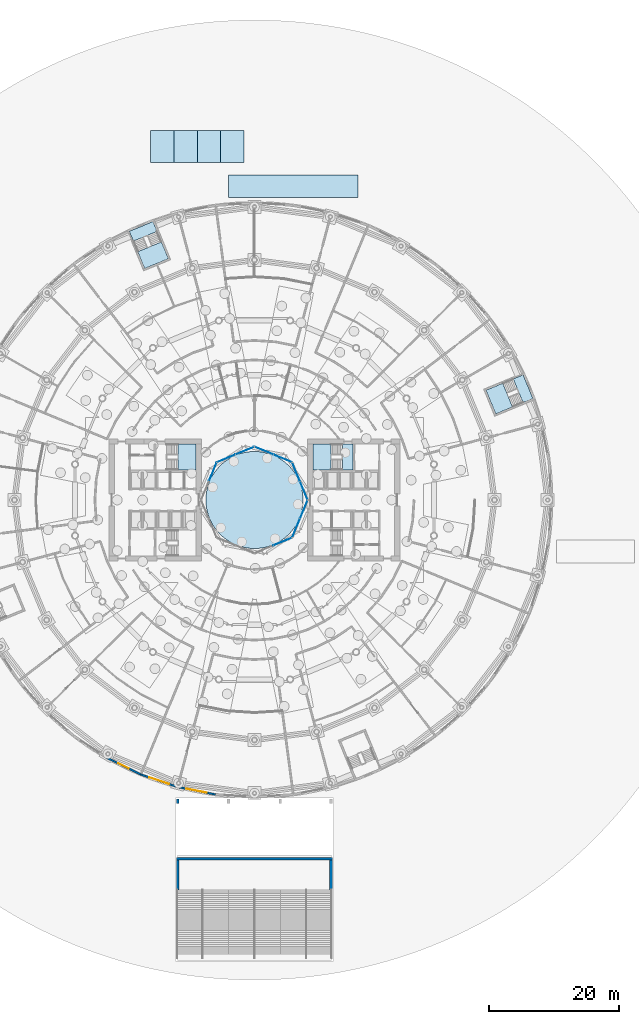
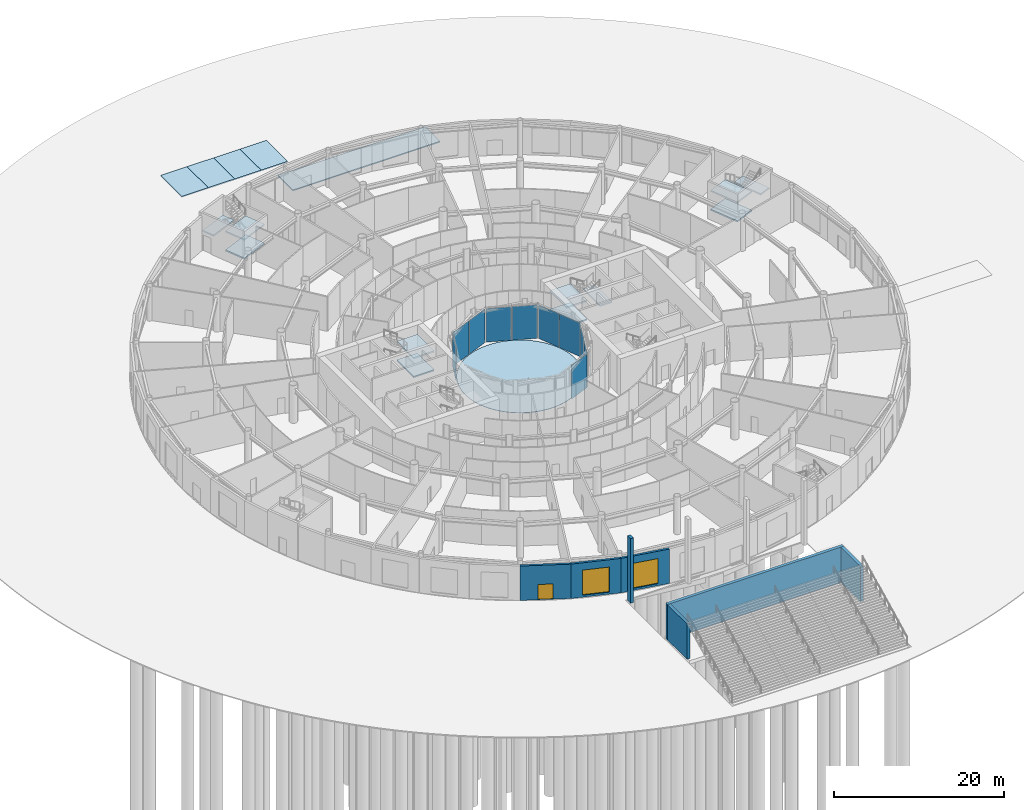
# One storey, part 17 of 41: 17 slabs, 10 plates, 7 walls, 2 windows, 1 door, 3 openings, 10 elements without a shape of their own.
"""IFC4 building model written with IfcOpenShell, lengths in metres."""

import ifcopenshell
import ifcopenshell.guid

model = None  # the IFC model being written
_history = None  # IfcOwnerHistory: only IFC2X3 demands one
_inside = {}  # id of a spatial element -> (the spatial element, [elements in it])
_under = {}  # id of a project, library or spatial element -> (it, [spatial elements below it])
_declared = {}  # id of a project -> (the project, [libraries it declares])
_typed = {}  # id of a type object -> (the type object, [elements of that type])
_made_of = {}  # id of a material, layer set ... -> (it, [elements and type objects made of it])


def new_model(schema):
    """Start an empty IFC model of exactly this schema.

    Asked for "IFC4X3", IfcOpenShell would pick the latest addendum, in which some entities
    have other attributes; the version numbers below select the first issue.
    IFC2X3 requires an IfcOwnerHistory on every rooted entity: one is made here for all.
    """
    global model, _history
    if schema == "IFC4X3":
        model = ifcopenshell.file(schema_version=(4, 3, 0, 0))
    else:
        model = ifcopenshell.file(schema=schema)
    _inside.clear()
    _under.clear()
    _declared.clear()
    _typed.clear()
    _made_of.clear()
    _history = None
    if model.schema == "IFC2X3":
        org = make("IfcOrganization", Name="unknown")
        user = make(
            "IfcPersonAndOrganization",
            ThePerson=make("IfcPerson", FamilyName="unknown"),
            TheOrganization=org,
        )
        app = make(
            "IfcApplication",
            ApplicationDeveloper=org,
            Version="unknown",
            ApplicationFullName="unknown",
            ApplicationIdentifier="unknown",
        )
        _history = make(
            "IfcOwnerHistory",
            OwningUser=user,
            OwningApplication=app,
            ChangeAction="ADDED",
            CreationDate=0,
        )
    return model


def make(cls, **values):
    """One entity of the class cls with the attributes given. An attribute that is None is left unset."""
    return model.create_entity(
        cls, **{name: value for name, value in values.items() if value is not None}
    )


def rooted(cls, **values):
    """An entity with a GlobalId (a new one), such as an element, a storey or a relation."""
    return make(cls, GlobalId=ifcopenshell.guid.new(), OwnerHistory=_history, **values)


def si_unit(unit_type, name, prefix=None):
    """IfcSIUnit, for example si_unit("LENGTHUNIT", "METRE", prefix="MILLI")."""
    return make("IfcSIUnit", UnitType=unit_type, Prefix=prefix, Name=name)


def assignment(units):
    """IfcUnitAssignment: the units of a project."""
    return None if units is None else make("IfcUnitAssignment", Units=units)


def point(xyz):
    """IfcCartesianPoint."""
    return None if xyz is None else make("IfcCartesianPoint", Coordinates=xyz)


def direction(xyz):
    """IfcDirection."""
    return None if xyz is None else make("IfcDirection", DirectionRatios=xyz)


def frame(location, z_axis=None, x_axis=None):
    """IfcAxis2Placement3D, a coordinate frame: its origin and axes. An axis left out is left unset."""
    return make(
        "IfcAxis2Placement3D",
        Location=point(location),
        Axis=direction(z_axis),
        RefDirection=direction(x_axis),
    )


def frame_2d(location, x_axis=None):
    """IfcAxis2Placement2D, a coordinate frame in the plane: its origin and x axis."""
    return make(
        "IfcAxis2Placement2D", Location=point(location), RefDirection=direction(x_axis)
    )


def origin():
    """The frame at (0, 0, 0) with its axes left unset."""
    return frame((0.0, 0.0, 0.0))


def origin_2d():
    """The frame at (0, 0) in the plane with its x axis left unset."""
    return frame_2d((0.0, 0.0))


def place(relative_to, where):
    """IfcLocalPlacement: puts the frame where relative to a parent placement (None: the world)."""
    return make(
        "IfcLocalPlacement", PlacementRelTo=relative_to, RelativePlacement=where
    )


def context(
    kind, dimensions, precision=None, world=None, true_north=None, identifier=None
):
    """IfcGeometricRepresentationContext, for example the 3D "Model" context."""
    return make(
        "IfcGeometricRepresentationContext",
        ContextIdentifier=identifier,
        ContextType=kind,
        CoordinateSpaceDimension=dimensions,
        Precision=precision,
        WorldCoordinateSystem=world,
        TrueNorth=true_north,
    )


def subcontext(parent, identifier, kind, view, scale=None):
    """IfcGeometricRepresentationSubContext, for example "Body" below "Model"."""
    return make(
        "IfcGeometricRepresentationSubContext",
        ContextIdentifier=identifier,
        ContextType=kind,
        ParentContext=parent,
        TargetScale=scale,
        TargetView=view,
    )


def project(units=None, contexts=None):
    """IfcProject with its units and contexts."""
    return rooted(
        "IfcProject",
        Name="project",
        RepresentationContexts=contexts,
        UnitsInContext=assignment(units),
    )


def spatial(cls, under=None, at=None, **own):
    """A site, building, storey or space (cls), placed at a placement, below another one or the project."""
    s = rooted(cls, ObjectPlacement=at, **own)
    if under is not None:
        _under.setdefault(under.id(), (under, []))[1].append(s)
    return s


def polyline(points):
    """IfcPolyline through the points."""
    return make("IfcPolyline", Points=[point(p) for p in points])


def profile(cls, at=None, kind="AREA", **sizes):
    """A parametric profile (cls). Its sizes go by their IFC names, for example OverallWidth=200.0."""
    return make(cls, ProfileType=kind, Position=at, **sizes)


def rectangle(**sizes):
    """IfcRectangleProfileDef."""
    return profile("IfcRectangleProfileDef", **sizes)


def outline(outer, holes=None, kind="AREA"):
    """IfcArbitraryClosedProfileDef: a profile drawn as a closed curve; with holes, ...WithVoids."""
    if holes is None:
        return make("IfcArbitraryClosedProfileDef", ProfileType=kind, OuterCurve=outer)
    return make(
        "IfcArbitraryProfileDefWithVoids",
        ProfileType=kind,
        OuterCurve=outer,
        InnerCurves=holes,
    )


def extrude(swept, where, along, depth):
    """IfcExtrudedAreaSolid: the profile swept, set in the frame where, extruded along a direction by depth."""
    return make(
        "IfcExtrudedAreaSolid",
        SweptArea=swept,
        Position=where,
        ExtrudedDirection=direction(along),
        Depth=depth,
    )


def shape(context_of_items, identifier, shape_type, items):
    """IfcShapeRepresentation: the items that make up one representation, for example the "Body"."""
    return make(
        "IfcShapeRepresentation",
        ContextOfItems=context_of_items,
        RepresentationIdentifier=identifier,
        RepresentationType=shape_type,
        Items=items,
    )


def material(Name=None, Category=None):
    """IfcMaterial."""
    return make("IfcMaterial", Name=Name, Category=Category)


def layer(
    of_material, thickness, ventilated=None, Name=None, Category=None, Priority=None
):
    """IfcMaterialLayer: one layer of a wall or slab, of a material (None: an air gap)."""
    return make(
        "IfcMaterialLayer",
        Material=of_material,
        LayerThickness=thickness,
        IsVentilated=ventilated,
        Name=Name,
        Category=Category,
        Priority=Priority,
    )


def layer_set(layers, Name=None):
    """IfcMaterialLayerSet."""
    return make("IfcMaterialLayerSet", MaterialLayers=layers, LayerSetName=Name)


def made_of(thing, what):
    """Note that an element or type object is made of a material, layer set ...; save() writes the relation."""
    if what is not None:
        _made_of.setdefault(what.id(), (what, []))[1].append(thing)
    return thing


def type_object(cls, material=None, **own):
    """A type object (cls), such as IfcWallType, which elements share."""
    return made_of(rooted(cls, **own), material)


def element(
    cls,
    number,
    at=None,
    inside=None,
    cuts=None,
    type_object=None,
    material=None,
    context=None,
    identifier="Body",
    shape_type=None,
    held_by="IfcProductDefinitionShape",
    body=None,
    shapes=None,
    **own,
):
    """One element of the class cls, such as IfcWall. Its Tag is "e" and its number.

    at: its placement. inside: the storey or other place that contains it. cuts: it is an
    opening in that element (IfcRelVoidsElement). A single representation is given by context,
    identifier, shape_type and body (its items); several are given by shapes. held_by: the class
    of the entity that holds the representations. save() writes the other relations.
    """
    e = rooted(cls, Tag="e%d" % number, ObjectPlacement=at, **own)
    if body is not None:
        shapes = [shape(context, identifier, shape_type, body)]
    if shapes is not None:
        e.Representation = make(held_by, Representations=shapes)
    if inside is not None:
        _inside.setdefault(inside.id(), (inside, []))[1].append(e)
    if cuts is not None:
        rooted(
            "IfcRelVoidsElement", RelatingBuildingElement=cuts, RelatedOpeningElement=e
        )
    if type_object is not None:
        _typed.setdefault(type_object.id(), (type_object, []))[1].append(e)
    return made_of(e, material)


def fill(opening, filler):
    """IfcRelFillsElement: the door or window that sits in an opening."""
    return rooted(
        "IfcRelFillsElement",
        RelatingOpeningElement=opening,
        RelatedBuildingElement=filler,
    )


def aggregate(whole, parts):
    """IfcRelAggregates: a whole, such as a stair, and the parts it consists of."""
    return rooted("IfcRelAggregates", RelatingObject=whole, RelatedObjects=parts)


def save(model, path):
    """Write the relations noted so far, then the file.

    IfcRelAggregates (storeys below a building ...), IfcRelContainedInSpatialStructure (elements
    in a storey), IfcRelDefinesByType, IfcRelAssociatesMaterial and IfcRelDeclares: one each for
    every whole, place, type object, material and project.
    """
    for whole, parts in _under.values():
        aggregate(whole, parts)
    for where, things in _inside.values():
        rooted(
            "IfcRelContainedInSpatialStructure",
            RelatedElements=things,
            RelatingStructure=where,
        )
    for kind, things in _typed.values():
        rooted("IfcRelDefinesByType", RelatedObjects=things, RelatingType=kind)
    for what, things in _made_of.values():
        rooted("IfcRelAssociatesMaterial", RelatedObjects=things, RelatingMaterial=what)
    for by, libraries in _declared.values():
        rooted("IfcRelDeclares", RelatingContext=by, RelatedDefinitions=libraries)
    model.write(path)


model = new_model("IFC4")

# Units and contexts
model_context = context("Model", 3, precision=1e-05, world=origin(), true_north=direction((0.0, 1.0)))
body_context = subcontext(model_context, "Body", "Model", "MODEL_VIEW")
ifc_project = project(units=[si_unit("LENGTHUNIT", "METRE"), si_unit("AREAUNIT", "SQUARE_METRE"), si_unit("VOLUMEUNIT", "CUBIC_METRE"), si_unit("PLANEANGLEUNIT", "RADIAN"), si_unit("MASSUNIT", "GRAM", prefix="KILO")], contexts=[model_context])

# Site, building, storey
site_placement = place(None, origin())
site = spatial("IfcSite", under=ifc_project, at=site_placement, CompositionType="ELEMENT")
building_placement = place(site_placement, origin())
building = spatial("IfcBuilding", under=site, at=building_placement, Name="Maasbend Ring Residences", CompositionType="ELEMENT")
storey_placement = place(building_placement, origin())
storey = spatial("IfcBuildingStorey", under=building, at=storey_placement, Name="L00", CompositionType="ELEMENT", Elevation=0.0)

# Stair, slabs
ifc_material_1 = material(Name="Concrete C40/50", Category="concrete")
stair_type = type_object("IfcStairType", Name="CORE STAIR 32 RISERS", PredefinedType="HALF_TURN_STAIR", material=ifc_material_1)
stair_1_placement = place(storey_placement, origin())
stair_1 = element("IfcStair", 1, at=stair_1_placement, inside=storey, type_object=stair_type, Name="L00 Exit stair ST-E1", PredefinedType="HALF_TURN_STAIR")
ifc_material_2 = material(Name="Concrete C40/50", Category="concrete")
ifc_layer_1 = layer(ifc_material_2, 0.199951171875)
ifc_layer_set_1 = layer_set([ifc_layer_1], Name="Concrete C40/50")
slab_type_1 = type_object("IfcSlabType", Name="CORE STAIR LANDING 200", PredefinedType="LANDING", material=ifc_layer_set_1)
slab_1_placement = place(storey_placement, frame((0.0, 0.0, 1.14990234375)))
slab_1 = element("IfcSlab", 2, at=slab_1_placement, type_object=slab_type_1, Name="ST-E1 landing 1", PredefinedType="LANDING", context=body_context, shape_type="SweptSolid", body=[
    extrude(outline(polyline([(11.800048828125, 8.60009765625), (9.0, 8.60009765625), (9.0, 4.64990234375), (11.800048828125, 4.64990234375), (11.800048828125, 8.60009765625)])), origin(), (0.0, 0.0, 1.0), 0.2001953125),
])
slab_2_placement = place(storey_placement, frame((0.0, 0.0, 2.5)))
slab_2 = element("IfcSlab", 3, at=slab_2_placement, type_object=slab_type_1, Name="ST-E1 landing 2", PredefinedType="LANDING", context=body_context, shape_type="SweptSolid", body=[
    extrude(outline(polyline([(15.199951171875, 8.60009765625), (13.550048828125, 8.60009765625), (13.550048828125, 4.64990234375), (15.199951171875, 4.64990234375), (15.199951171875, 8.60009765625)])), origin(), (0.0, 0.0, 1.0), 0.199951171875),
])
slab_3_placement = place(storey_placement, frame((0.0, 0.0, 3.85009765625)))
slab_3 = element("IfcSlab", 4, at=slab_3_placement, type_object=slab_type_1, Name="ST-E1 landing 3", PredefinedType="LANDING", context=body_context, shape_type="SweptSolid", body=[
    extrude(outline(polyline([(11.800048828125, 8.60009765625), (9.0, 8.60009765625), (9.0, 4.64990234375), (11.800048828125, 4.64990234375), (11.800048828125, 8.60009765625)])), origin(), (0.0, 0.0, 1.0), 0.199951171875),
])
aggregate(stair_1, [slab_1, slab_2, slab_3])

stair_2_placement = place(storey_placement, origin())
stair_2 = element("IfcStair", 5, at=stair_2_placement, inside=storey, type_object=stair_type, Name="L00 Exit stair ST-W2", PredefinedType="HALF_TURN_STAIR")
slab_4_placement = place(storey_placement, frame((0.0, 0.0, 1.14990234375)))
slab_4 = element("IfcSlab", 6, at=slab_4_placement, type_object=slab_type_1, Name="ST-W2 landing 1", PredefinedType="LANDING", context=body_context, shape_type="SweptSolid", body=[
    extrude(outline(polyline([(-11.800048828125, 4.64990234375), (-9.0, 4.64990234375), (-9.0, 8.60009765625), (-11.800048828125, 8.60009765625), (-11.800048828125, 4.64990234375)])), origin(), (0.0, 0.0, 1.0), 0.2001953125),
])
slab_5_placement = place(storey_placement, frame((0.0, 0.0, 3.85009765625)))
slab_5 = element("IfcSlab", 7, at=slab_5_placement, type_object=slab_type_1, Name="ST-W2 landing 3", PredefinedType="LANDING", context=body_context, shape_type="SweptSolid", body=[
    extrude(outline(polyline([(-11.800048828125, 4.64990234375), (-9.0, 4.64990234375), (-9.0, 8.60009765625), (-11.800048828125, 8.60009765625), (-11.800048828125, 4.64990234375)])), origin(), (0.0, 0.0, 1.0), 0.199951171875),
])
aggregate(stair_2, [slab_4, slab_5])

stair_3_placement = place(storey_placement, origin())
stair_3 = element("IfcStair", 8, at=stair_3_placement, inside=storey, type_object=stair_type, Name="L00 Exit stair ST-P1", PredefinedType="HALF_TURN_STAIR")
slab_6_placement = place(storey_placement, frame((0.0, 0.0, 1.14990234375)))
slab_6 = element("IfcSlab", 9, at=slab_6_placement, type_object=slab_type_1, Name="ST-P1 landing 1", PredefinedType="LANDING", context=body_context, shape_type="SweptSolid", body=[
    extrude(outline(polyline([(-17.992919921875, 38.278076171875), (-16.921630859375, 35.691162109375), (-13.272216796875, 37.202880859375), (-14.34375, 39.789794921875), (-17.992919921875, 38.278076171875)])), origin(), (0.0, 0.0, 1.0), 0.2001953125),
])
slab_7_placement = place(storey_placement, frame((0.0, 0.0, 2.5)))
slab_7 = element("IfcSlab", 10, at=slab_7_placement, type_object=slab_type_1, Name="ST-P1 landing 2", PredefinedType="LANDING", context=body_context, shape_type="SweptSolid", body=[
    extrude(outline(polyline([(-19.294189453125, 41.419189453125), (-18.662841796875, 39.89501953125), (-15.013427734375, 41.406494140625), (-15.644775390625, 42.930908203125), (-19.294189453125, 41.419189453125)])), origin(), (0.0, 0.0, 1.0), 0.199951171875),
])
slab_8_placement = place(storey_placement, frame((0.0, 0.0, 3.85009765625)))
slab_8 = element("IfcSlab", 11, at=slab_8_placement, type_object=slab_type_1, Name="ST-P1 landing 3", PredefinedType="LANDING", context=body_context, shape_type="SweptSolid", body=[
    extrude(outline(polyline([(-17.992919921875, 38.278076171875), (-16.921630859375, 35.691162109375), (-13.272216796875, 37.202880859375), (-14.34375, 39.789794921875), (-17.992919921875, 38.278076171875)])), origin(), (0.0, 0.0, 1.0), 0.199951171875),
])
aggregate(stair_3, [slab_6, slab_7, slab_8])

stair_4_placement = place(storey_placement, origin())
stair_4 = element("IfcStair", 12, at=stair_4_placement, inside=storey, type_object=stair_type, Name="L00 Exit stair ST-P5", PredefinedType="HALF_TURN_STAIR")
slab_9_placement = place(storey_placement, frame((0.0, 0.0, 1.14990234375)))
slab_9 = element("IfcSlab", 13, at=slab_9_placement, type_object=slab_type_1, Name="ST-P5 landing 1", PredefinedType="LANDING", context=body_context, shape_type="SweptSolid", body=[
    extrude(outline(polyline([(38.278076171875, 17.992919921875), (35.691162109375, 16.921630859375), (37.202880859375, 13.272216796875), (39.789794921875, 14.34375), (38.278076171875, 17.992919921875)])), origin(), (0.0, 0.0, 1.0), 0.2001953125),
])
slab_10_placement = place(storey_placement, frame((0.0, 0.0, 2.5)))
slab_10 = element("IfcSlab", 14, at=slab_10_placement, type_object=slab_type_1, Name="ST-P5 landing 2", PredefinedType="LANDING", context=body_context, shape_type="SweptSolid", body=[
    extrude(outline(polyline([(41.419189453125, 19.294189453125), (39.89501953125, 18.662841796875), (41.406494140625, 15.013427734375), (42.930908203125, 15.644775390625), (41.419189453125, 19.294189453125)])), origin(), (0.0, 0.0, 1.0), 0.199951171875),
])
slab_11_placement = place(storey_placement, frame((0.0, 0.0, 3.85009765625)))
slab_11 = element("IfcSlab", 15, at=slab_11_placement, type_object=slab_type_1, Name="ST-P5 landing 3", PredefinedType="LANDING", context=body_context, shape_type="SweptSolid", body=[
    extrude(outline(polyline([(38.278076171875, 17.992919921875), (35.691162109375, 16.921630859375), (37.202880859375, 13.272216796875), (39.789794921875, 14.34375), (38.278076171875, 17.992919921875)])), origin(), (0.0, 0.0, 1.0), 0.199951171875),
])
aggregate(stair_4, [slab_9, slab_10, slab_11])

# Curtain wall, plates
ifc_material_3 = material(Name="Aluminium and clear glass", Category="aluminium")
ifc_layer_2 = layer(ifc_material_3, 0.199951171875)
ifc_layer_set_2 = layer_set([ifc_layer_2], Name="CW-LR")
curtain_wall_type = type_object("IfcCurtainWallType", Name="CW-LR", PredefinedType="NOTDEFINED", material=ifc_layer_set_2)
curtain_wall_1_placement = place(storey_placement, origin())
curtain_wall_1 = element("IfcCurtainWall", 16, at=curtain_wall_1_placement, inside=storey, type_object=curtain_wall_type, Name="Lobby ring curtain wall 01", PredefinedType="NOTDEFINED")
ifc_material_4 = material(Name="Glass clear laminated", Category="glass")
ifc_layer_3 = layer(ifc_material_4, 0.035888671875)
ifc_layer_set_3 = layer_set([ifc_layer_3], Name="CWP-LR")
plate_type = type_object("IfcPlateType", Name="CWP-LR", PredefinedType="CURTAIN_PANEL", material=ifc_layer_set_3)
plate_1_placement = place(storey_placement, frame((7.607177734375, 1.468505859375, 0.0), z_axis=(0.0, 0.0, 1.0), x_axis=(-0.382683432365, 0.923879532511, 0.0)))
plate_1 = element("IfcPlate", 17, at=plate_1_placement, type_object=plate_type, Name="Glass panel podium lobby ring", PredefinedType="CURTAIN_PANEL", context=body_context, shape_type="SweptSolid", body=[
    extrude(rectangle(XDim=3.038818359375, YDim=0.035888671875, at=origin_2d()), origin(), (0.0, 0.0, 1.0), 4.830078125),
])
plate_2_placement = place(storey_placement, frame((6.41748046875, 4.340576171875, 0.0), z_axis=(0.0, 0.0, 1.0), x_axis=(-0.382683432365, 0.923879532511, 0.0)))
plate_2 = element("IfcPlate", 18, at=plate_2_placement, type_object=plate_type, Name="Glass panel podium lobby ring", PredefinedType="CURTAIN_PANEL", context=body_context, shape_type="SweptSolid", body=[
    extrude(rectangle(XDim=3.038818359375, YDim=0.035888671875, at=origin_2d()), origin(), (0.0, 0.0, 1.0), 4.830078125),
])
aggregate(curtain_wall_1, [plate_1, plate_2])

curtain_wall_2_placement = place(storey_placement, origin())
curtain_wall_2 = element("IfcCurtainWall", 19, at=curtain_wall_2_placement, inside=storey, type_object=curtain_wall_type, Name="Lobby ring curtain wall 02", PredefinedType="NOTDEFINED")
plate_3_placement = place(storey_placement, frame((4.340576171875, 6.41748046875, 0.0), z_axis=(0.0, 0.0, 1.0), x_axis=(-0.923879532511, 0.382683432365, 0.0)))
plate_3 = element("IfcPlate", 20, at=plate_3_placement, type_object=plate_type, Name="Glass panel podium lobby ring", PredefinedType="CURTAIN_PANEL", context=body_context, shape_type="SweptSolid", body=[
    extrude(rectangle(XDim=3.038818359375, YDim=0.035888671875, at=origin_2d()), origin(), (0.0, 0.0, 1.0), 4.830078125),
])
plate_4_placement = place(storey_placement, frame((1.468505859375, 7.607177734375, 0.0), z_axis=(0.0, 0.0, 1.0), x_axis=(-0.923879532511, 0.382683432365, 0.0)))
plate_4 = element("IfcPlate", 21, at=plate_4_placement, type_object=plate_type, Name="Glass panel podium lobby ring", PredefinedType="CURTAIN_PANEL", context=body_context, shape_type="SweptSolid", body=[
    extrude(rectangle(XDim=3.038818359375, YDim=0.035888671875, at=origin_2d()), origin(), (0.0, 0.0, 1.0), 4.830078125),
])
aggregate(curtain_wall_2, [plate_3, plate_4])

curtain_wall_3_placement = place(storey_placement, origin())
curtain_wall_3 = element("IfcCurtainWall", 22, at=curtain_wall_3_placement, inside=storey, type_object=curtain_wall_type, Name="Lobby ring curtain wall 03", PredefinedType="NOTDEFINED")
plate_5_placement = place(storey_placement, frame((-1.468505859375, 7.607177734375, 0.0), z_axis=(0.0, 0.0, 1.0), x_axis=(-0.923879532511, -0.382683432365, 0.0)))
plate_5 = element("IfcPlate", 23, at=plate_5_placement, type_object=plate_type, Name="Glass panel podium lobby ring", PredefinedType="CURTAIN_PANEL", context=body_context, shape_type="SweptSolid", body=[
    extrude(rectangle(XDim=3.038818359375, YDim=0.035888671875, at=origin_2d()), origin(), (0.0, 0.0, 1.0), 4.830078125),
])
plate_6_placement = place(storey_placement, frame((-4.340576171875, 6.41748046875, 0.0), z_axis=(0.0, 0.0, 1.0), x_axis=(-0.923879532511, -0.382683432365, 0.0)))
plate_6 = element("IfcPlate", 24, at=plate_6_placement, type_object=plate_type, Name="Glass panel podium lobby ring", PredefinedType="CURTAIN_PANEL", context=body_context, shape_type="SweptSolid", body=[
    extrude(rectangle(XDim=3.038818359375, YDim=0.035888671875, at=origin_2d()), origin(), (0.0, 0.0, 1.0), 4.830078125),
])
aggregate(curtain_wall_3, [plate_5, plate_6])

# Curtain wall, plate
curtain_wall_4_placement = place(storey_placement, origin())
curtain_wall_4 = element("IfcCurtainWall", 25, at=curtain_wall_4_placement, inside=storey, type_object=curtain_wall_type, Name="Lobby ring curtain wall 04", PredefinedType="NOTDEFINED")
plate_7_placement = place(storey_placement, frame((-6.41748046875, 4.340576171875, 0.0), z_axis=(0.0, 0.0, 1.0), x_axis=(-0.382683432365, -0.923879532511, 0.0)))
plate_7 = element("IfcPlate", 26, at=plate_7_placement, type_object=plate_type, Name="Glass panel podium lobby ring", PredefinedType="CURTAIN_PANEL", context=body_context, shape_type="SweptSolid", body=[
    extrude(rectangle(XDim=3.038818359375, YDim=0.035888671875, at=origin_2d()), origin(), (0.0, 0.0, 1.0), 4.830078125),
])
aggregate(curtain_wall_4, [plate_7])

curtain_wall_5_placement = place(storey_placement, origin())
curtain_wall_5 = element("IfcCurtainWall", 27, at=curtain_wall_5_placement, inside=storey, type_object=curtain_wall_type, Name="Lobby ring curtain wall 07", PredefinedType="NOTDEFINED")
plate_8_placement = place(storey_placement, frame((4.340576171875, -6.41748046875, 0.0), z_axis=(0.0, 0.0, 1.0), x_axis=(0.923879532511, 0.382683432365, 0.0)))
plate_8 = element("IfcPlate", 28, at=plate_8_placement, type_object=plate_type, Name="Glass panel podium lobby ring", PredefinedType="CURTAIN_PANEL", context=body_context, shape_type="SweptSolid", body=[
    extrude(rectangle(XDim=3.038818359375, YDim=0.035888671875, at=origin_2d()), origin(), (0.0, 0.0, 1.0), 4.830078125),
])
aggregate(curtain_wall_5, [plate_8])

# Curtain wall, plates
curtain_wall_6_placement = place(storey_placement, origin())
curtain_wall_6 = element("IfcCurtainWall", 29, at=curtain_wall_6_placement, inside=storey, type_object=curtain_wall_type, Name="Lobby ring curtain wall 08", PredefinedType="NOTDEFINED")
plate_9_placement = place(storey_placement, frame((6.41748046875, -4.340576171875, 0.0), z_axis=(0.0, 0.0, 1.0), x_axis=(0.382683432365, 0.923879532511, 0.0)))
plate_9 = element("IfcPlate", 30, at=plate_9_placement, type_object=plate_type, Name="Glass panel podium lobby ring", PredefinedType="CURTAIN_PANEL", context=body_context, shape_type="SweptSolid", body=[
    extrude(rectangle(XDim=3.038818359375, YDim=0.035888671875, at=origin_2d()), origin(), (0.0, 0.0, 1.0), 4.830078125),
])
plate_10_placement = place(storey_placement, frame((7.607177734375, -1.468505859375, 0.0), z_axis=(0.0, 0.0, 1.0), x_axis=(0.382683432365, 0.923879532511, 0.0)))
plate_10 = element("IfcPlate", 31, at=plate_10_placement, type_object=plate_type, Name="Glass panel podium lobby ring", PredefinedType="CURTAIN_PANEL", context=body_context, shape_type="SweptSolid", body=[
    extrude(rectangle(XDim=3.038818359375, YDim=0.035888671875, at=origin_2d()), origin(), (0.0, 0.0, 1.0), 4.830078125),
])
aggregate(curtain_wall_6, [plate_9, plate_10])

# Slabs
ifc_material_5 = material(Name="Granite paving", Category="masonry")
ifc_layer_4 = layer(ifc_material_5, 0.14990234375)
ifc_layer_set_4 = layer_set([ifc_layer_4], Name="PAVING-PLAZA")
slab_type_2 = type_object("IfcSlabType", Name="PAVING-PLAZA", PredefinedType="USERDEFINED", material=ifc_layer_set_4)
slab_12_placement = place(storey_placement, origin())
element("IfcSlab", 32, at=slab_12_placement, inside=storey, type_object=slab_type_2, Name="Court paving", ObjectType="PAVING", PredefinedType="USERDEFINED", context=body_context, shape_type="SweptSolid", body=[
    extrude(outline(polyline([(7.47998046875, 0.0), (7.477783203125, -0.18359375), (7.470947265625, -0.366943359375), (7.459716796875, -0.55029296875), (7.444091796875, -0.733154296875), (7.423828125, -0.91552734375), (7.39892578125, -1.09765625), (7.369873046875, -1.27880859375), (7.336181640625, -1.459228515625), (7.29833984375, -1.638916015625), (7.255859375, -1.8173828125), (7.208984375, -1.9951171875), (7.157958984375, -2.17138671875), (7.1025390625, -2.346435546875), (7.042724609375, -2.52001953125), (6.978759765625, -2.69189453125), (6.91064453125, -2.862548828125), (6.83837890625, -3.03125), (6.76171875, -3.197998046875), (6.681396484375, -3.363037109375), (6.5966796875, -3.526123046875), (6.50830078125, -3.686767578125), (6.415771484375, -3.845458984375), (6.319580078125, -4.001708984375), (6.219482421875, -4.15576171875), (6.115478515625, -4.30712890625), (6.008056640625, -4.455810546875), (5.896728515625, -4.60205078125), (5.7822265625, -4.745361328125), (5.663818359375, -4.8857421875), (5.542236328125, -5.023193359375), (5.41748046875, -5.15771484375), (5.2890625, -5.2890625), (5.15771484375, -5.41748046875), (5.023193359375, -5.542236328125), (4.8857421875, -5.663818359375), (4.745361328125, -5.7822265625), (4.60205078125, -5.896728515625), (4.455810546875, -6.008056640625), (4.30712890625, -6.115478515625), (4.15576171875, -6.219482421875), (4.001708984375, -6.319580078125), (3.845458984375, -6.415771484375), (3.686767578125, -6.50830078125), (3.526123046875, -6.5966796875), (3.363037109375, -6.681396484375), (3.197998046875, -6.76171875), (3.03125, -6.83837890625), (2.862548828125, -6.91064453125), (2.69189453125, -6.978759765625), (2.52001953125, -7.042724609375), (2.346435546875, -7.1025390625), (2.17138671875, -7.157958984375), (1.9951171875, -7.208984375), (1.8173828125, -7.255859375), (1.638916015625, -7.29833984375), (1.459228515625, -7.336181640625), (1.27880859375, -7.369873046875), (1.09765625, -7.39892578125), (0.91552734375, -7.423828125), (0.733154296875, -7.444091796875), (0.55029296875, -7.459716796875), (0.366943359375, -7.470947265625), (0.18359375, -7.477783203125), (0.0, -7.47998046875), (-0.18359375, -7.477783203125), (-0.366943359375, -7.470947265625), (-0.55029296875, -7.459716796875), (-0.733154296875, -7.444091796875), (-0.91552734375, -7.423828125), (-1.09765625, -7.39892578125), (-1.27880859375, -7.369873046875), (-1.459228515625, -7.336181640625), (-1.638916015625, -7.29833984375), (-1.8173828125, -7.255859375), (-1.9951171875, -7.208984375), (-2.17138671875, -7.157958984375), (-2.346435546875, -7.1025390625), (-2.52001953125, -7.042724609375), (-2.69189453125, -6.978759765625), (-2.862548828125, -6.91064453125), (-3.03125, -6.83837890625), (-3.197998046875, -6.76171875), (-3.363037109375, -6.681396484375), (-3.526123046875, -6.5966796875), (-3.686767578125, -6.50830078125), (-3.845458984375, -6.415771484375), (-4.001708984375, -6.319580078125), (-4.15576171875, -6.219482421875), (-4.30712890625, -6.115478515625), (-4.455810546875, -6.008056640625), (-4.60205078125, -5.896728515625), (-4.745361328125, -5.7822265625), (-4.8857421875, -5.663818359375), (-5.023193359375, -5.542236328125), (-5.15771484375, -5.41748046875), (-5.2890625, -5.2890625), (-5.41748046875, -5.15771484375), (-5.542236328125, -5.023193359375), (-5.663818359375, -4.8857421875), (-5.7822265625, -4.745361328125), (-5.896728515625, -4.60205078125), (-6.008056640625, -4.455810546875), (-6.115478515625, -4.30712890625), (-6.219482421875, -4.15576171875), (-6.319580078125, -4.001708984375), (-6.415771484375, -3.845458984375), (-6.50830078125, -3.686767578125), (-6.5966796875, -3.526123046875), (-6.681396484375, -3.363037109375), (-6.76171875, -3.197998046875), (-6.83837890625, -3.03125), (-6.91064453125, -2.862548828125), (-6.978759765625, -2.69189453125), (-7.042724609375, -2.52001953125), (-7.1025390625, -2.346435546875), (-7.157958984375, -2.17138671875), (-7.208984375, -1.9951171875), (-7.255859375, -1.8173828125), (-7.29833984375, -1.638916015625), (-7.336181640625, -1.459228515625), (-7.369873046875, -1.27880859375), (-7.39892578125, -1.09765625), (-7.423828125, -0.91552734375), (-7.444091796875, -0.733154296875), (-7.459716796875, -0.55029296875), (-7.470947265625, -0.366943359375), (-7.477783203125, -0.18359375), (-7.47998046875, 0.0), (-7.477783203125, 0.18359375), (-7.470947265625, 0.366943359375), (-7.459716796875, 0.55029296875), (-7.444091796875, 0.733154296875), (-7.423828125, 0.91552734375), (-7.39892578125, 1.09765625), (-7.369873046875, 1.27880859375), (-7.336181640625, 1.459228515625), (-7.29833984375, 1.638916015625), (-7.255859375, 1.8173828125), (-7.208984375, 1.9951171875), (-7.157958984375, 2.17138671875), (-7.1025390625, 2.346435546875), (-7.042724609375, 2.52001953125), (-6.978759765625, 2.69189453125), (-6.91064453125, 2.862548828125), (-6.83837890625, 3.03125), (-6.76171875, 3.197998046875), (-6.681396484375, 3.363037109375), (-6.5966796875, 3.526123046875), (-6.50830078125, 3.686767578125), (-6.415771484375, 3.845458984375), (-6.319580078125, 4.001708984375), (-6.219482421875, 4.15576171875), (-6.115478515625, 4.30712890625), (-6.008056640625, 4.455810546875), (-5.896728515625, 4.60205078125), (-5.7822265625, 4.745361328125), (-5.663818359375, 4.8857421875), (-5.542236328125, 5.023193359375), (-5.41748046875, 5.15771484375), (-5.2890625, 5.2890625), (-5.15771484375, 5.41748046875), (-5.023193359375, 5.542236328125), (-4.8857421875, 5.663818359375), (-4.745361328125, 5.7822265625), (-4.60205078125, 5.896728515625), (-4.455810546875, 6.008056640625), (-4.30712890625, 6.115478515625), (-4.15576171875, 6.219482421875), (-4.001708984375, 6.319580078125), (-3.845458984375, 6.415771484375), (-3.686767578125, 6.50830078125), (-3.526123046875, 6.5966796875), (-3.363037109375, 6.681396484375), (-3.197998046875, 6.76171875), (-3.03125, 6.83837890625), (-2.862548828125, 6.91064453125), (-2.69189453125, 6.978759765625), (-2.52001953125, 7.042724609375), (-2.346435546875, 7.1025390625), (-2.17138671875, 7.157958984375), (-1.9951171875, 7.208984375), (-1.8173828125, 7.255859375), (-1.638916015625, 7.29833984375), (-1.459228515625, 7.336181640625), (-1.27880859375, 7.369873046875), (-1.09765625, 7.39892578125), (-0.91552734375, 7.423828125), (-0.733154296875, 7.444091796875), (-0.55029296875, 7.459716796875), (-0.366943359375, 7.470947265625), (-0.18359375, 7.477783203125), (0.0, 7.47998046875), (0.18359375, 7.477783203125), (0.366943359375, 7.470947265625), (0.55029296875, 7.459716796875), (0.733154296875, 7.444091796875), (0.91552734375, 7.423828125), (1.09765625, 7.39892578125), (1.27880859375, 7.369873046875), (1.459228515625, 7.336181640625), (1.638916015625, 7.29833984375), (1.8173828125, 7.255859375), (1.9951171875, 7.208984375), (2.17138671875, 7.157958984375), (2.346435546875, 7.1025390625), (2.52001953125, 7.042724609375), (2.69189453125, 6.978759765625), (2.862548828125, 6.91064453125), (3.03125, 6.83837890625), (3.197998046875, 6.76171875), (3.363037109375, 6.681396484375), (3.526123046875, 6.5966796875), (3.686767578125, 6.50830078125), (3.845458984375, 6.415771484375), (4.001708984375, 6.319580078125), (4.15576171875, 6.219482421875), (4.30712890625, 6.115478515625), (4.455810546875, 6.008056640625), (4.60205078125, 5.896728515625), (4.745361328125, 5.7822265625), (4.8857421875, 5.663818359375), (5.023193359375, 5.542236328125), (5.15771484375, 5.41748046875), (5.2890625, 5.2890625), (5.41748046875, 5.15771484375), (5.542236328125, 5.023193359375), (5.663818359375, 4.8857421875), (5.7822265625, 4.745361328125), (5.896728515625, 4.60205078125), (6.008056640625, 4.455810546875), (6.115478515625, 4.30712890625), (6.219482421875, 4.15576171875), (6.319580078125, 4.001708984375), (6.415771484375, 3.845458984375), (6.50830078125, 3.686767578125), (6.5966796875, 3.526123046875), (6.681396484375, 3.363037109375), (6.76171875, 3.197998046875), (6.83837890625, 3.03125), (6.91064453125, 2.862548828125), (6.978759765625, 2.69189453125), (7.042724609375, 2.52001953125), (7.1025390625, 2.346435546875), (7.157958984375, 2.17138671875), (7.208984375, 1.9951171875), (7.255859375, 1.8173828125), (7.29833984375, 1.638916015625), (7.336181640625, 1.459228515625), (7.369873046875, 1.27880859375), (7.39892578125, 1.09765625), (7.423828125, 0.91552734375), (7.444091796875, 0.733154296875), (7.459716796875, 0.55029296875), (7.470947265625, 0.366943359375), (7.477783203125, 0.18359375), (7.47998046875, 0.0)])), origin(), (0.0, 0.0, 1.0), 0.050048828125),
])
slab_13_placement = place(storey_placement, frame((0.0, 0.0, -0.14990234375)))
element("IfcSlab", 33, at=slab_13_placement, inside=storey, type_object=slab_type_2, Name="Drop-off lay-by", ObjectType="PAVING", PredefinedType="USERDEFINED", context=body_context, shape_type="SweptSolid", body=[
    extrude(outline(polyline([(16.0, 46.60009765625), (16.0, 50.10009765625), (-4.0, 50.10009765625), (-4.0, 46.60009765625), (16.0, 46.60009765625)])), origin(), (0.0, 0.0, 1.0), 0.14990234375),
])
slab_14_placement = place(storey_placement, frame((0.0, 0.0, -0.14990234375)))
element("IfcSlab", 34, at=slab_14_placement, inside=storey, type_object=slab_type_2, Name="Accessible bay 1", ObjectType="PAVING", PredefinedType="USERDEFINED", context=body_context, shape_type="SweptSolid", body=[
    extrude(outline(polyline([(-12.39990234375, 52.0), (-12.39990234375, 57.0), (-16.0, 57.0), (-16.0, 52.0), (-12.39990234375, 52.0)])), origin(), (0.0, 0.0, 1.0), 0.14990234375),
])
slab_15_placement = place(storey_placement, frame((0.0, 0.0, -0.14990234375)))
element("IfcSlab", 35, at=slab_15_placement, inside=storey, type_object=slab_type_2, Name="Accessible bay 2", ObjectType="PAVING", PredefinedType="USERDEFINED", context=body_context, shape_type="SweptSolid", body=[
    extrude(outline(polyline([(-8.800048828125, 52.0), (-8.800048828125, 57.0), (-12.39990234375, 57.0), (-12.39990234375, 52.0), (-8.800048828125, 52.0)])), origin(), (0.0, 0.0, 1.0), 0.14990234375),
])
slab_16_placement = place(storey_placement, frame((0.0, 0.0, -0.14990234375)))
element("IfcSlab", 36, at=slab_16_placement, inside=storey, type_object=slab_type_2, Name="Accessible bay 3", ObjectType="PAVING", PredefinedType="USERDEFINED", context=body_context, shape_type="SweptSolid", body=[
    extrude(outline(polyline([(-5.199951171875, 52.0), (-5.199951171875, 57.0), (-8.800048828125, 57.0), (-8.800048828125, 52.0), (-5.199951171875, 52.0)])), origin(), (0.0, 0.0, 1.0), 0.14990234375),
])
slab_17_placement = place(storey_placement, frame((0.0, 0.0, -0.14990234375)))
element("IfcSlab", 37, at=slab_17_placement, inside=storey, type_object=slab_type_2, Name="Accessible bay 4", ObjectType="PAVING", PredefinedType="USERDEFINED", context=body_context, shape_type="SweptSolid", body=[
    extrude(outline(polyline([(-1.60009765625, 52.0), (-1.60009765625, 57.0), (-5.199951171875, 57.0), (-5.199951171875, 52.0), (-1.60009765625, 52.0)])), origin(), (0.0, 0.0, 1.0), 0.14990234375),
])

# Wall, opening, door
ifc_material_6 = material(Name="Pale anodised aluminium panel", Category="aluminium")
ifc_layer_5 = layer(ifc_material_6, 0.300048828125)
ifc_layer_set_5 = layer_set([ifc_layer_5], Name="EW-BASE")
wall_type_1 = type_object("IfcWallType", Name="EW-BASE", PredefinedType="SOLIDWALL", material=ifc_layer_set_5)
wall_1_placement = place(storey_placement, frame((-22.89990234375, -39.6640625, 0.0), z_axis=(0.0, 0.0, 1.0), x_axis=(0.896850939151, -0.44233289833, 0.0)))
wall_1 = element("IfcWall", 38, at=wall_1_placement, inside=storey, type_object=wall_type_1, Name="Base block wall 33", PredefinedType="SOLIDWALL", context=body_context, shape_type="SweptSolid", body=[
    extrude(rectangle(XDim=5.99072265625, YDim=0.300048828125, at=frame_2d((2.995361328125, 0.0))), origin(), (0.0, 0.0, 1.0), 4.949951171875),
])
opening_1_placement = place(wall_1_placement, frame((2.095458984375, 0.0, 0.0)))
opening_1 = element("IfcOpeningElement", 39, at=opening_1_placement, cuts=wall_1, Name="Opening D-EX", PredefinedType="OPENING", context=body_context, shape_type="SweptSolid", body=[
    extrude(rectangle(XDim=1.800048828125, YDim=2.199951171875, at=frame_2d((0.89990234375, 1.10009765625))), frame((0.0, 0.16015625, 0.0), z_axis=(0.0, -1.0, 0.0), x_axis=(1.0, 0.0, 0.0)), (0.0, 0.0, 1.0), 0.320068359375),
])
ifc_material_7 = material(Name="Aluminium and clear glass", Category="aluminium")
door_type = type_object("IfcDoorType", Name="D-EX", OperationType="DOUBLE_DOOR_SINGLE_SWING", PredefinedType="DOOR", material=ifc_material_7)
door_placement = place(opening_1_placement, origin())
door = element("IfcDoor", 40, at=door_placement, inside=storey, type_object=door_type, Name="Exit door 33", OperationType="SINGLE_SWING_LEFT", OverallHeight=2.199951171875, OverallWidth=1.800048828125, PredefinedType="DOOR", context=body_context, shape_type="SweptSolid", body=[
    extrude(rectangle(XDim=1.800048828125, YDim=2.199951171875, at=frame_2d((0.89990234375, 1.10009765625))), frame((0.0, 0.02490234375, 0.0), z_axis=(0.0, -1.0, 0.0), x_axis=(1.0, 0.0, 0.0)), (0.0, 0.0, 1.0), 0.050048828125),
])
fill(opening_1, door)

# Wall, opening, window
wall_2_placement = place(storey_placement, frame((-17.527099609375, -42.31396484375, 0.0), z_axis=(0.0, 0.0, 1.0), x_axis=(0.946966078776, -0.321333542675, 0.0)))
wall_2 = element("IfcWall", 41, at=wall_2_placement, inside=storey, type_object=wall_type_1, Name="Base block wall 34", PredefinedType="SOLIDWALL", context=body_context, shape_type="SweptSolid", body=[
    extrude(rectangle(XDim=5.99072265625, YDim=0.300048828125, at=frame_2d((2.995361328125, 0.0))), origin(), (0.0, 0.0, 1.0), 4.949951171875),
])
opening_2_placement = place(wall_2_placement, frame((1.3955078125, 0.0, 0.300048828125)))
opening_2 = element("IfcOpeningElement", 42, at=opening_2_placement, cuts=wall_2, Name="Opening W-SF", PredefinedType="OPENING", context=body_context, shape_type="SweptSolid", body=[
    extrude(rectangle(XDim=3.199951171875, YDim=3.60009765625, at=frame_2d((1.60009765625, 1.800048828125))), frame((0.0, 0.16015625, 0.0), z_axis=(0.0, -1.0, 0.0), x_axis=(1.0, 0.0, 0.0)), (0.0, 0.0, 1.0), 0.320068359375),
])
ifc_material_8 = material(Name="Aluminium and clear glass", Category="aluminium")
window_type = type_object("IfcWindowType", Name="W-SF", PartitioningType="SINGLE_PANEL", PredefinedType="WINDOW", material=ifc_material_8)
window_1_placement = place(opening_2_placement, origin())
window_1 = element("IfcWindow", 43, at=window_1_placement, inside=storey, type_object=window_type, Name="Shopfront 34", OverallHeight=3.60009765625, OverallWidth=3.199951171875, PartitioningType="SINGLE_PANEL", PredefinedType="WINDOW", context=body_context, shape_type="SweptSolid", body=[
    extrude(rectangle(XDim=3.199951171875, YDim=3.60009765625, at=frame_2d((1.60009765625, 1.800048828125))), frame((0.0, 0.030029296875, 0.0), z_axis=(0.0, -1.0, 0.0), x_axis=(1.0, 0.0, 0.0)), (0.0, 0.0, 1.0), 0.06005859375),
])
fill(opening_2, window_1)

wall_3_placement = place(storey_placement, frame((-11.85400390625, -44.239013671875, 0.0), z_axis=(0.0, 0.0, 1.0), x_axis=(0.980780780021, -0.195112945602, 0.0)))
wall_3 = element("IfcWall", 44, at=wall_3_placement, inside=storey, type_object=wall_type_1, Name="Base block wall 35", PredefinedType="SOLIDWALL", context=body_context, shape_type="SweptSolid", body=[
    extrude(rectangle(XDim=5.9912109375, YDim=0.300048828125, at=frame_2d((2.99560546875, 0.0))), origin(), (0.0, 0.0, 1.0), 4.949951171875),
])
opening_3_placement = place(wall_3_placement, frame((1.3955078125, 0.0, 0.300048828125)))
opening_3 = element("IfcOpeningElement", 45, at=opening_3_placement, cuts=wall_3, Name="Opening W-SF", PredefinedType="OPENING", context=body_context, shape_type="SweptSolid", body=[
    extrude(rectangle(XDim=3.199951171875, YDim=3.60009765625, at=frame_2d((1.60009765625, 1.800048828125))), frame((0.0, 0.16015625, 0.0), z_axis=(0.0, -1.0, 0.0), x_axis=(1.0, 0.0, 0.0)), (0.0, 0.0, 1.0), 0.320068359375),
])
window_2_placement = place(opening_3_placement, origin())
window_2 = element("IfcWindow", 46, at=window_2_placement, inside=storey, type_object=window_type, Name="Shopfront 35", OverallHeight=3.60009765625, OverallWidth=3.199951171875, PartitioningType="SINGLE_PANEL", PredefinedType="WINDOW", context=body_context, shape_type="SweptSolid", body=[
    extrude(rectangle(XDim=3.199951171875, YDim=3.60009765625, at=frame_2d((1.60009765625, 1.800048828125))), frame((0.0, 0.030029296875, 0.0), z_axis=(0.0, -1.0, 0.0), x_axis=(1.0, 0.0, 0.0)), (0.0, 0.0, 1.0), 0.06005859375),
])
fill(opening_3, window_2)

# Walls
ifc_material_9 = material(Name="Concrete C30/37", Category="concrete")
ifc_layer_6 = layer(ifc_material_9, 0.39990234375)
ifc_layer_set_6 = layer_set([ifc_layer_6], Name="Concrete C30/37")
wall_type_2 = type_object("IfcWallType", Name="WALL-STEPS", PredefinedType="SOLIDWALL", material=ifc_layer_set_6)
for number, where, z_axis, x_axis, name in (
    (47, (-11.800048828125, -60.10009765625, 0.0), (0.0, 0.0, 1.0), (0.0, 1.0, 0.0), "Steps terrace support wall"),
    (48, (11.800048828125, -60.10009765625, 0.0), (0.0, 0.0, 1.0), (0.0, 1.0, 0.0), "Steps terrace support wall"),
):
    element("IfcWall", number, at=place(storey_placement, frame(where, z_axis=z_axis, x_axis=x_axis)), inside=storey, type_object=wall_type_2, Name=name, PredefinedType="SOLIDWALL", context=body_context, shape_type="SweptSolid", body=[
        extrude(rectangle(XDim=4.60009765625, YDim=0.39990234375, at=frame_2d((2.300048828125, 0.0))), origin(), (0.0, 0.0, 1.0), 5.10009765625),
    ])
wall_4_placement = place(storey_placement, frame((-12.0, -55.300048828125, 0.0), z_axis=(0.0, 0.0, 1.0), x_axis=(1.0, 0.0, 0.0)))
element("IfcWall", 49, at=wall_4_placement, inside=storey, type_object=wall_type_2, Name="Steps terrace support wall", PredefinedType="SOLIDWALL", context=body_context, shape_type="SweptSolid", body=[
    extrude(rectangle(XDim=24.0, YDim=0.39990234375, at=frame_2d((12.0, 0.0))), origin(), (0.0, 0.0, 1.0), 5.10009765625),
])
wall_5_placement = place(storey_placement, frame((-11.800048828125, -46.800048828125, 0.0), z_axis=(0.0, 0.0, 1.0), x_axis=(0.0, 1.0, 0.0)))
element("IfcWall", 50, at=wall_5_placement, inside=storey, type_object=wall_type_2, Name="Steps top landing support wall", PredefinedType="SOLIDWALL", context=body_context, shape_type="SweptSolid", body=[
    extrude(rectangle(XDim=0.699951171875, YDim=0.39990234375, at=frame_2d((0.35009765625, 0.0))), origin(), (0.0, 0.0, 1.0), 9.300048828125),
])

save(model, "model.ifc")
